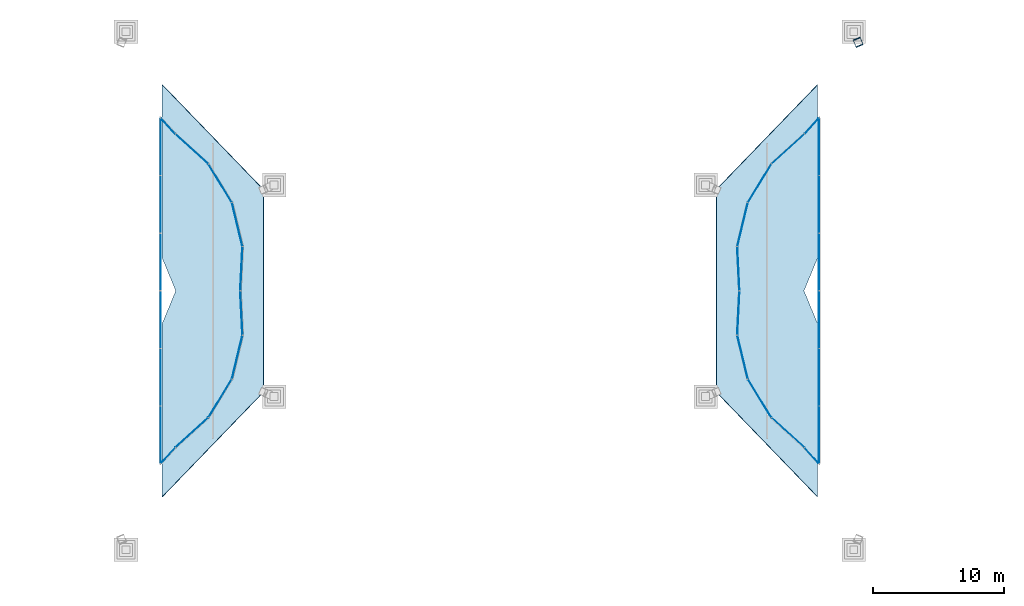
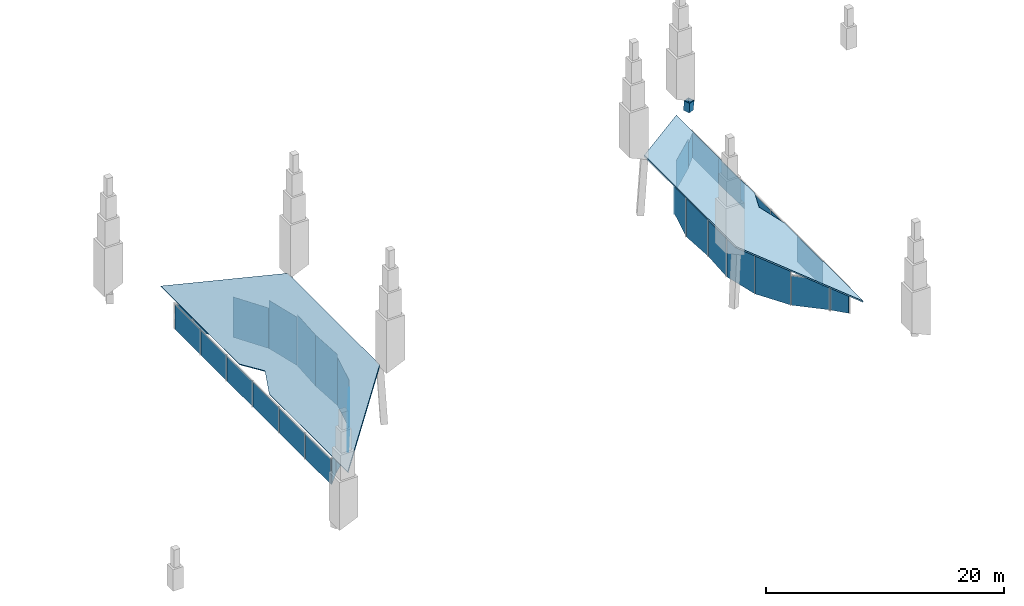
# One storey, part 7 of 8: 34 plates, 1 member, 12 elements without a shape of their own.
"""IFC4 building model written with IfcOpenShell, lengths in metres."""

from ifc_helpers import new_model, si_unit, direction, frame, origin, origin_2d, place, context, subcontext, project, spatial, polyline, rectangle, hollow_rectangle, outline, extrude, material, layer, layer_set, material_profile, profile_set, type_object, element, aggregate, save


model = new_model("IFC4")

# Units and contexts
model_context = context("Model", 3, precision=1e-05, world=origin(), true_north=direction((0.0, 1.0)))
body_context = subcontext(model_context, "Body", "Model", "MODEL_VIEW")
ifc_project = project(units=[si_unit("LENGTHUNIT", "METRE"), si_unit("AREAUNIT", "SQUARE_METRE"), si_unit("VOLUMEUNIT", "CUBIC_METRE"), si_unit("PLANEANGLEUNIT", "RADIAN"), si_unit("MASSUNIT", "GRAM", prefix="KILO")], contexts=[model_context])

# Site, building, storey
site_placement = place(None, origin())
site = spatial("IfcSite", under=ifc_project, at=site_placement, CompositionType="ELEMENT")
building_placement = place(site_placement, origin())
building = spatial("IfcBuilding", under=site, at=building_placement, Name="Ogive Gate Towers", CompositionType="ELEMENT")
storey_placement = place(building_placement, frame((0.0, 0.0, 314.0)))
storey = spatial("IfcBuildingStorey", under=building, at=storey_placement, Name="L74", CompositionType="ELEMENT", Elevation=314.0)

# Member
ifc_material_1 = material(Name="Steel SM460", Category="steel")
ifc_material_profile = material_profile(ifc_material_1, hollow_rectangle(XDim=0.60009765625, YDim=0.60009765625, WallThickness=0.0400390625, at=origin_2d()), Name="BX 600x600x40")
ifc_profile_set = profile_set([ifc_material_profile], Name="Steel SM460")
member_type = type_object("IfcMemberType", Name="Crown rib BX 600x600x40", PredefinedType="MEMBER", material=ifc_profile_set)
member_placement = place(storey_placement, frame((28.123779296875, 19.01513671875, 0.0), z_axis=(0.023335360016, -0.056534119627, 0.998127924813), x_axis=(0.924351915048, 0.381541003232, 0.0)))
element("IfcMember", 1, at=member_placement, inside=storey, type_object=member_type, Name="T2/L74/STR001", PredefinedType="MEMBER", context=body_context, shape_type="SweptSolid", body=[
    extrude(hollow_rectangle(XDim=0.60009765625, YDim=0.60009765625, WallThickness=0.0400390625, at=origin_2d()), origin(), (0.0, 0.0, 1.0), 1.014892578125),
])

# Curtain wall, plates
ifc_material_2 = material(Name="Pale metal aluminium", Category="aluminium")
curtain_wall_type = type_object("IfcCurtainWallType", Name="Crown lean wall", PredefinedType="NOTDEFINED", material=ifc_material_2)
curtain_wall_1_placement = place(storey_placement, origin())
curtain_wall_1 = element("IfcCurtainWall", 2, at=curtain_wall_1_placement, inside=storey, type_object=curtain_wall_type, Name="CW5 T1 ECW01", PredefinedType="NOTDEFINED")
ifc_material_3 = material(Name="Clear glass", Category="glass")
ifc_layer_1 = layer(ifc_material_3, 0.028076171875)
ifc_layer_set_1 = layer_set([ifc_layer_1], Name="Crown lean wall glass panel")
plate_type_1 = type_object("IfcPlateType", Name="Crown lean wall glass panel", PredefinedType="CURTAIN_PANEL", material=ifc_layer_set_1)
plate_1_placement = place(storey_placement, frame((-22.772216796875, 10.833251953125, -0.300048828125), z_axis=(0.0, 0.0, 1.0), x_axis=(0.741144489724, -0.671345548397, 0.0)))
plate_1 = element("IfcPlate", 3, at=plate_1_placement, type_object=plate_type_1, Name="CW5 glass panel", PredefinedType="CURTAIN_PANEL", context=body_context, shape_type="SweptSolid", body=[
    extrude(rectangle(XDim=3.346435546875, YDim=0.028076171875, at=origin_2d()), origin(), (0.0, 0.0, 1.0), 3.03955078125),
])
plate_2_placement = place(storey_placement, frame((-20.61181640625, 8.219970703125, -0.300048828125), z_axis=(0.0, 0.0, 1.0), x_axis=(0.521873406506, -0.853022946691, 0.0)))
plate_2 = element("IfcPlate", 4, at=plate_2_placement, type_object=plate_type_1, Name="CW5 glass panel", PredefinedType="CURTAIN_PANEL", context=body_context, shape_type="SweptSolid", body=[
    extrude(rectangle(XDim=3.400634765625, YDim=0.028076171875, at=origin_2d()), origin(), (0.0, 0.0, 1.0), 4.1650390625),
])
plate_3_placement = place(storey_placement, frame((-19.306640625, 5.068603515625, -0.300048828125), z_axis=(0.0, 0.0, 1.0), x_axis=(0.234158085451, -0.972198534775, 0.0)))
plate_3 = element("IfcPlate", 5, at=plate_3_placement, type_object=plate_type_1, Name="CW5 glass panel", PredefinedType="CURTAIN_PANEL", context=body_context, shape_type="SweptSolid", body=[
    extrude(rectangle(XDim=3.400634765625, YDim=0.028076171875, at=origin_2d()), origin(), (0.0, 0.0, 1.0), 4.97119140625),
])
plate_4_placement = place(storey_placement, frame((-18.986083984375, 1.693115234375, -0.2998046875), z_axis=(0.0, 0.0, 1.0), x_axis=(-0.049337872702, -0.998782145574, 0.0)))
plate_4 = element("IfcPlate", 6, at=plate_4_placement, type_object=plate_type_1, Name="CW5 glass panel", PredefinedType="CURTAIN_PANEL", context=body_context, shape_type="SweptSolid", body=[
    extrude(rectangle(XDim=3.346435546875, YDim=0.028076171875, at=origin_2d()), origin(), (0.0, 0.0, 1.0), 5.258056640625),
])
aggregate(curtain_wall_1, [plate_1, plate_2, plate_3, plate_4])

curtain_wall_2_placement = place(storey_placement, origin())
curtain_wall_2 = element("IfcCurtainWall", 7, at=curtain_wall_2_placement, inside=storey, type_object=curtain_wall_type, Name="CW5 T1 ECW01b", PredefinedType="NOTDEFINED")
plate_5_placement = place(storey_placement, frame((-25.147216796875, 2.200927734375, -0.300048828125), z_axis=(0.0, 0.0, 1.0), x_axis=(0.0, 1.0, 0.0)))
plate_5 = element("IfcPlate", 8, at=plate_5_placement, type_object=plate_type_1, Name="CW5 glass panel", PredefinedType="CURTAIN_PANEL", context=body_context, shape_type="SweptSolid", body=[
    extrude(rectangle(XDim=4.35791015625, YDim=0.028076171875, at=origin_2d()), origin(), (0.0, 0.0, 1.0), 2.583984375),
])
plate_6_placement = place(storey_placement, frame((-25.147216796875, 6.60302734375, -0.300048828125), z_axis=(0.0, 0.0, 1.0), x_axis=(0.0, 1.0, 0.0)))
plate_6 = element("IfcPlate", 9, at=plate_6_placement, type_object=plate_type_1, Name="CW5 glass panel", PredefinedType="CURTAIN_PANEL", context=body_context, shape_type="SweptSolid", body=[
    extrude(rectangle(XDim=4.358154296875, YDim=0.028076171875, at=origin_2d()), origin(), (0.0, 0.0, 1.0), 2.583984375),
])
aggregate(curtain_wall_2, [plate_5, plate_6])

curtain_wall_3_placement = place(storey_placement, origin())
curtain_wall_3 = element("IfcCurtainWall", 10, at=curtain_wall_3_placement, inside=storey, type_object=curtain_wall_type, Name="CW5 T1 ECW02", PredefinedType="NOTDEFINED")
plate_7_placement = place(storey_placement, frame((-25.147216796875, 10.98583984375, -0.300048828125), z_axis=(0.0, 0.0, 1.0), x_axis=(0.0, 1.0, 0.0)))
plate_7 = element("IfcPlate", 11, at=plate_7_placement, type_object=plate_type_1, Name="CW5 glass panel", PredefinedType="CURTAIN_PANEL", context=body_context, shape_type="SweptSolid", body=[
    extrude(rectangle(XDim=4.319580078125, YDim=0.028076171875, at=origin_2d()), origin(), (0.0, 0.0, 1.0), 2.583984375),
])
plate_8_placement = place(storey_placement, frame((-24.574951171875, 12.57470703125, -0.30029296875), z_axis=(0.0, 0.0, 1.0), x_axis=(0.671371418811, -0.741121054892, 0.0)))
plate_8 = element("IfcPlate", 12, at=plate_8_placement, type_object=plate_type_1, Name="CW5 glass panel", PredefinedType="CURTAIN_PANEL", context=body_context, shape_type="SweptSolid", body=[
    extrude(rectangle(XDim=1.583740234375, YDim=0.028076171875, at=origin_2d()), origin(), (0.0, 0.0, 1.0), 2.539306640625),
])
aggregate(curtain_wall_3, [plate_7, plate_8])

curtain_wall_4_placement = place(storey_placement, origin())
curtain_wall_4 = element("IfcCurtainWall", 13, at=curtain_wall_4_placement, inside=storey, type_object=curtain_wall_type, Name="CW5 T1 ECW03", PredefinedType="NOTDEFINED")
plate_9_placement = place(storey_placement, frame((-24.574951171875, -12.57470703125, -0.30029296875), z_axis=(0.0, 0.0, 1.0), x_axis=(-0.671371418811, -0.741121054892, 0.0)))
plate_9 = element("IfcPlate", 14, at=plate_9_placement, type_object=plate_type_1, Name="CW5 glass panel", PredefinedType="CURTAIN_PANEL", context=body_context, shape_type="SweptSolid", body=[
    extrude(rectangle(XDim=1.583740234375, YDim=0.028076171875, at=origin_2d()), origin(), (0.0, 0.0, 1.0), 2.539306640625),
])
plate_10_placement = place(storey_placement, frame((-25.147216796875, -10.98583984375, -0.300048828125), z_axis=(0.0, 0.0, 1.0), x_axis=(0.0, 1.0, 0.0)))
plate_10 = element("IfcPlate", 15, at=plate_10_placement, type_object=plate_type_1, Name="CW5 glass panel", PredefinedType="CURTAIN_PANEL", context=body_context, shape_type="SweptSolid", body=[
    extrude(rectangle(XDim=4.319580078125, YDim=0.028076171875, at=origin_2d()), origin(), (0.0, 0.0, 1.0), 2.583984375),
])
aggregate(curtain_wall_4, [plate_9, plate_10])

curtain_wall_5_placement = place(storey_placement, origin())
curtain_wall_5 = element("IfcCurtainWall", 16, at=curtain_wall_5_placement, inside=storey, type_object=curtain_wall_type, Name="CW5 T1 ECW04", PredefinedType="NOTDEFINED")
plate_11_placement = place(storey_placement, frame((-18.986083984375, -1.693115234375, -0.2998046875), z_axis=(0.0, 0.0, 1.0), x_axis=(0.049337872702, -0.998782145574, 0.0)))
plate_11 = element("IfcPlate", 17, at=plate_11_placement, type_object=plate_type_1, Name="CW5 glass panel", PredefinedType="CURTAIN_PANEL", context=body_context, shape_type="SweptSolid", body=[
    extrude(rectangle(XDim=3.346435546875, YDim=0.028076171875, at=origin_2d()), origin(), (0.0, 0.0, 1.0), 5.258056640625),
])
plate_12_placement = place(storey_placement, frame((-19.306640625, -5.068603515625, -0.300048828125), z_axis=(0.0, 0.0, 1.0), x_axis=(-0.234158085451, -0.972198534775, 0.0)))
plate_12 = element("IfcPlate", 18, at=plate_12_placement, type_object=plate_type_1, Name="CW5 glass panel", PredefinedType="CURTAIN_PANEL", context=body_context, shape_type="SweptSolid", body=[
    extrude(rectangle(XDim=3.400634765625, YDim=0.028076171875, at=origin_2d()), origin(), (0.0, 0.0, 1.0), 4.97119140625),
])
plate_13_placement = place(storey_placement, frame((-20.61181640625, -8.219970703125, -0.300048828125), z_axis=(0.0, 0.0, 1.0), x_axis=(-0.521873406506, -0.853022946691, 0.0)))
plate_13 = element("IfcPlate", 19, at=plate_13_placement, type_object=plate_type_1, Name="CW5 glass panel", PredefinedType="CURTAIN_PANEL", context=body_context, shape_type="SweptSolid", body=[
    extrude(rectangle(XDim=3.400634765625, YDim=0.028076171875, at=origin_2d()), origin(), (0.0, 0.0, 1.0), 4.1650390625),
])
plate_14_placement = place(storey_placement, frame((-22.772216796875, -10.833251953125, -0.300048828125), z_axis=(0.0, 0.0, 1.0), x_axis=(-0.741144489724, -0.671345548397, 0.0)))
plate_14 = element("IfcPlate", 20, at=plate_14_placement, type_object=plate_type_1, Name="CW5 glass panel", PredefinedType="CURTAIN_PANEL", context=body_context, shape_type="SweptSolid", body=[
    extrude(rectangle(XDim=3.346435546875, YDim=0.028076171875, at=origin_2d()), origin(), (0.0, 0.0, 1.0), 3.03955078125),
])
aggregate(curtain_wall_5, [plate_11, plate_12, plate_13, plate_14])

curtain_wall_6_placement = place(storey_placement, origin())
curtain_wall_6 = element("IfcCurtainWall", 21, at=curtain_wall_6_placement, inside=storey, type_object=curtain_wall_type, Name="CW5 T1 ECW04b", PredefinedType="NOTDEFINED")
plate_15_placement = place(storey_placement, frame((-25.147216796875, -6.60302734375, -0.300048828125), z_axis=(0.0, 0.0, 1.0), x_axis=(0.0, 1.0, 0.0)))
plate_15 = element("IfcPlate", 22, at=plate_15_placement, type_object=plate_type_1, Name="CW5 glass panel", PredefinedType="CURTAIN_PANEL", context=body_context, shape_type="SweptSolid", body=[
    extrude(rectangle(XDim=4.358154296875, YDim=0.028076171875, at=origin_2d()), origin(), (0.0, 0.0, 1.0), 2.583984375),
])
plate_16_placement = place(storey_placement, frame((-25.147216796875, -2.200927734375, -0.300048828125), z_axis=(0.0, 0.0, 1.0), x_axis=(0.0, 1.0, 0.0)))
plate_16 = element("IfcPlate", 23, at=plate_16_placement, type_object=plate_type_1, Name="CW5 glass panel", PredefinedType="CURTAIN_PANEL", context=body_context, shape_type="SweptSolid", body=[
    extrude(rectangle(XDim=4.35791015625, YDim=0.028076171875, at=origin_2d()), origin(), (0.0, 0.0, 1.0), 2.583984375),
])
aggregate(curtain_wall_6, [plate_15, plate_16])

curtain_wall_7_placement = place(storey_placement, origin())
curtain_wall_7 = element("IfcCurtainWall", 24, at=curtain_wall_7_placement, inside=storey, type_object=curtain_wall_type, Name="CW5 T2 ECW01", PredefinedType="NOTDEFINED")
plate_17_placement = place(storey_placement, frame((24.574951171875, 12.57470703125, -0.30029296875), z_axis=(0.0, 0.0, 1.0), x_axis=(0.671371418811, 0.741121054892, 0.0)))
plate_17 = element("IfcPlate", 25, at=plate_17_placement, type_object=plate_type_1, Name="CW5 glass panel", PredefinedType="CURTAIN_PANEL", context=body_context, shape_type="SweptSolid", body=[
    extrude(rectangle(XDim=1.583740234375, YDim=0.028076171875, at=origin_2d()), origin(), (0.0, 0.0, 1.0), 2.539306640625),
])
plate_18_placement = place(storey_placement, frame((25.147216796875, 10.98583984375, -0.300048828125), z_axis=(0.0, 0.0, 1.0), x_axis=(0.0, -1.0, 0.0)))
plate_18 = element("IfcPlate", 26, at=plate_18_placement, type_object=plate_type_1, Name="CW5 glass panel", PredefinedType="CURTAIN_PANEL", context=body_context, shape_type="SweptSolid", body=[
    extrude(rectangle(XDim=4.319580078125, YDim=0.028076171875, at=origin_2d()), origin(), (0.0, 0.0, 1.0), 2.583984375),
])
aggregate(curtain_wall_7, [plate_17, plate_18])

curtain_wall_8_placement = place(storey_placement, origin())
curtain_wall_8 = element("IfcCurtainWall", 27, at=curtain_wall_8_placement, inside=storey, type_object=curtain_wall_type, Name="CW5 T2 ECW02", PredefinedType="NOTDEFINED")
plate_19_placement = place(storey_placement, frame((18.986083984375, 1.693115234375, -0.2998046875), z_axis=(0.0, 0.0, 1.0), x_axis=(-0.049337872702, 0.998782145574, 0.0)))
plate_19 = element("IfcPlate", 28, at=plate_19_placement, type_object=plate_type_1, Name="CW5 glass panel", PredefinedType="CURTAIN_PANEL", context=body_context, shape_type="SweptSolid", body=[
    extrude(rectangle(XDim=3.346435546875, YDim=0.028076171875, at=origin_2d()), origin(), (0.0, 0.0, 1.0), 5.258056640625),
])
plate_20_placement = place(storey_placement, frame((19.306640625, 5.068603515625, -0.300048828125), z_axis=(0.0, 0.0, 1.0), x_axis=(0.234158085451, 0.972198534775, 0.0)))
plate_20 = element("IfcPlate", 29, at=plate_20_placement, type_object=plate_type_1, Name="CW5 glass panel", PredefinedType="CURTAIN_PANEL", context=body_context, shape_type="SweptSolid", body=[
    extrude(rectangle(XDim=3.400634765625, YDim=0.028076171875, at=origin_2d()), origin(), (0.0, 0.0, 1.0), 4.97119140625),
])
plate_21_placement = place(storey_placement, frame((20.61181640625, 8.219970703125, -0.300048828125), z_axis=(0.0, 0.0, 1.0), x_axis=(0.521873406506, 0.853022946691, 0.0)))
plate_21 = element("IfcPlate", 30, at=plate_21_placement, type_object=plate_type_1, Name="CW5 glass panel", PredefinedType="CURTAIN_PANEL", context=body_context, shape_type="SweptSolid", body=[
    extrude(rectangle(XDim=3.400634765625, YDim=0.028076171875, at=origin_2d()), origin(), (0.0, 0.0, 1.0), 4.1650390625),
])
plate_22_placement = place(storey_placement, frame((22.772216796875, 10.833251953125, -0.300048828125), z_axis=(0.0, 0.0, 1.0), x_axis=(0.741144489724, 0.671345548397, 0.0)))
plate_22 = element("IfcPlate", 31, at=plate_22_placement, type_object=plate_type_1, Name="CW5 glass panel", PredefinedType="CURTAIN_PANEL", context=body_context, shape_type="SweptSolid", body=[
    extrude(rectangle(XDim=3.346435546875, YDim=0.028076171875, at=origin_2d()), origin(), (0.0, 0.0, 1.0), 3.03955078125),
])
aggregate(curtain_wall_8, [plate_19, plate_20, plate_21, plate_22])

curtain_wall_9_placement = place(storey_placement, origin())
curtain_wall_9 = element("IfcCurtainWall", 32, at=curtain_wall_9_placement, inside=storey, type_object=curtain_wall_type, Name="CW5 T2 ECW02b", PredefinedType="NOTDEFINED")
plate_23_placement = place(storey_placement, frame((25.147216796875, 6.60302734375, -0.300048828125), z_axis=(0.0, 0.0, 1.0), x_axis=(0.0, -1.0, 0.0)))
plate_23 = element("IfcPlate", 33, at=plate_23_placement, type_object=plate_type_1, Name="CW5 glass panel", PredefinedType="CURTAIN_PANEL", context=body_context, shape_type="SweptSolid", body=[
    extrude(rectangle(XDim=4.358154296875, YDim=0.028076171875, at=origin_2d()), origin(), (0.0, 0.0, 1.0), 2.583984375),
])
plate_24_placement = place(storey_placement, frame((25.147216796875, 2.200927734375, -0.300048828125), z_axis=(0.0, 0.0, 1.0), x_axis=(0.0, -1.0, 0.0)))
plate_24 = element("IfcPlate", 34, at=plate_24_placement, type_object=plate_type_1, Name="CW5 glass panel", PredefinedType="CURTAIN_PANEL", context=body_context, shape_type="SweptSolid", body=[
    extrude(rectangle(XDim=4.35791015625, YDim=0.028076171875, at=origin_2d()), origin(), (0.0, 0.0, 1.0), 2.583984375),
])
aggregate(curtain_wall_9, [plate_23, plate_24])

curtain_wall_10_placement = place(storey_placement, origin())
curtain_wall_10 = element("IfcCurtainWall", 35, at=curtain_wall_10_placement, inside=storey, type_object=curtain_wall_type, Name="CW5 T2 ECW03", PredefinedType="NOTDEFINED")
plate_25_placement = place(storey_placement, frame((22.772216796875, -10.833251953125, -0.300048828125), z_axis=(0.0, 0.0, 1.0), x_axis=(-0.741144489724, 0.671345548397, 0.0)))
plate_25 = element("IfcPlate", 36, at=plate_25_placement, type_object=plate_type_1, Name="CW5 glass panel", PredefinedType="CURTAIN_PANEL", context=body_context, shape_type="SweptSolid", body=[
    extrude(rectangle(XDim=3.346435546875, YDim=0.028076171875, at=origin_2d()), origin(), (0.0, 0.0, 1.0), 3.03955078125),
])
plate_26_placement = place(storey_placement, frame((20.61181640625, -8.219970703125, -0.300048828125), z_axis=(0.0, 0.0, 1.0), x_axis=(-0.521873406506, 0.853022946691, 0.0)))
plate_26 = element("IfcPlate", 37, at=plate_26_placement, type_object=plate_type_1, Name="CW5 glass panel", PredefinedType="CURTAIN_PANEL", context=body_context, shape_type="SweptSolid", body=[
    extrude(rectangle(XDim=3.400634765625, YDim=0.028076171875, at=origin_2d()), origin(), (0.0, 0.0, 1.0), 4.1650390625),
])
plate_27_placement = place(storey_placement, frame((19.306640625, -5.068603515625, -0.300048828125), z_axis=(0.0, 0.0, 1.0), x_axis=(-0.234158085451, 0.972198534775, 0.0)))
plate_27 = element("IfcPlate", 38, at=plate_27_placement, type_object=plate_type_1, Name="CW5 glass panel", PredefinedType="CURTAIN_PANEL", context=body_context, shape_type="SweptSolid", body=[
    extrude(rectangle(XDim=3.400634765625, YDim=0.028076171875, at=origin_2d()), origin(), (0.0, 0.0, 1.0), 4.97119140625),
])
plate_28_placement = place(storey_placement, frame((18.986083984375, -1.693115234375, -0.2998046875), z_axis=(0.0, 0.0, 1.0), x_axis=(0.049337872702, 0.998782145574, 0.0)))
plate_28 = element("IfcPlate", 39, at=plate_28_placement, type_object=plate_type_1, Name="CW5 glass panel", PredefinedType="CURTAIN_PANEL", context=body_context, shape_type="SweptSolid", body=[
    extrude(rectangle(XDim=3.346435546875, YDim=0.028076171875, at=origin_2d()), origin(), (0.0, 0.0, 1.0), 5.258056640625),
])
aggregate(curtain_wall_10, [plate_25, plate_26, plate_27, plate_28])

curtain_wall_11_placement = place(storey_placement, origin())
curtain_wall_11 = element("IfcCurtainWall", 40, at=curtain_wall_11_placement, inside=storey, type_object=curtain_wall_type, Name="CW5 T2 ECW03b", PredefinedType="NOTDEFINED")
plate_29_placement = place(storey_placement, frame((25.147216796875, -2.200927734375, -0.300048828125), z_axis=(0.0, 0.0, 1.0), x_axis=(0.0, -1.0, 0.0)))
plate_29 = element("IfcPlate", 41, at=plate_29_placement, type_object=plate_type_1, Name="CW5 glass panel", PredefinedType="CURTAIN_PANEL", context=body_context, shape_type="SweptSolid", body=[
    extrude(rectangle(XDim=4.35791015625, YDim=0.028076171875, at=origin_2d()), origin(), (0.0, 0.0, 1.0), 2.583984375),
])
plate_30_placement = place(storey_placement, frame((25.147216796875, -6.60302734375, -0.300048828125), z_axis=(0.0, 0.0, 1.0), x_axis=(0.0, -1.0, 0.0)))
plate_30 = element("IfcPlate", 42, at=plate_30_placement, type_object=plate_type_1, Name="CW5 glass panel", PredefinedType="CURTAIN_PANEL", context=body_context, shape_type="SweptSolid", body=[
    extrude(rectangle(XDim=4.358154296875, YDim=0.028076171875, at=origin_2d()), origin(), (0.0, 0.0, 1.0), 2.583984375),
])
aggregate(curtain_wall_11, [plate_29, plate_30])

curtain_wall_12_placement = place(storey_placement, origin())
curtain_wall_12 = element("IfcCurtainWall", 43, at=curtain_wall_12_placement, inside=storey, type_object=curtain_wall_type, Name="CW5 T2 ECW04", PredefinedType="NOTDEFINED")
plate_31_placement = place(storey_placement, frame((25.147216796875, -10.98583984375, -0.300048828125), z_axis=(0.0, 0.0, 1.0), x_axis=(0.0, -1.0, 0.0)))
plate_31 = element("IfcPlate", 44, at=plate_31_placement, type_object=plate_type_1, Name="CW5 glass panel", PredefinedType="CURTAIN_PANEL", context=body_context, shape_type="SweptSolid", body=[
    extrude(rectangle(XDim=4.319580078125, YDim=0.028076171875, at=origin_2d()), origin(), (0.0, 0.0, 1.0), 2.583984375),
])
plate_32_placement = place(storey_placement, frame((24.574951171875, -12.57470703125, -0.30029296875), z_axis=(0.0, 0.0, 1.0), x_axis=(-0.671371418811, 0.741121054892, 0.0)))
plate_32 = element("IfcPlate", 45, at=plate_32_placement, type_object=plate_type_1, Name="CW5 glass panel", PredefinedType="CURTAIN_PANEL", context=body_context, shape_type="SweptSolid", body=[
    extrude(rectangle(XDim=1.583740234375, YDim=0.028076171875, at=origin_2d()), origin(), (0.0, 0.0, 1.0), 2.539306640625),
])
aggregate(curtain_wall_12, [plate_31, plate_32])

# Plates
ifc_layer_2 = layer(ifc_material_3, 0.1201171875)
ifc_layer_set_2 = layer_set([ifc_layer_2], Name="Glazed crown roof")
plate_type_2 = type_object("IfcPlateType", Name="Glazed crown roof", PredefinedType="SHEET", material=ifc_layer_set_2)
for number, where, z_axis, x_axis, name in (
    (46, (-17.31591796875, -7.7392578125, 5.989501953125), (-0.408345554507, 0.0, 0.912827425155), (-0.663311449569, -0.6870015855, -0.296726713309), "Glazed crown roof"),
    (47, (17.31591796875, 7.7392578125, 5.989501953125), (0.408345554507, 0.0, 0.912827425155), (0.663311449569, 0.6870015855, -0.296726713309), "Glazed crown roof"),
):
    element("IfcPlate", number, at=place(storey_placement, frame(where, z_axis=z_axis, x_axis=x_axis)), inside=storey, type_object=plate_type_2, Name=name, PredefinedType="SHEET", context=body_context, shape_type="SweptSolid", body=[
        extrude(outline(polyline([(0.0, 0.0), (11.65546686901019, -3.3306690738754696e-16), (2.5741646606851507, -9.60548290111282), (0.003955728481287557, -10.654252204532137), (-0.8990845660065401, -13.279211105830688), (-9.980386774331576, -22.88469400694351), (-10.63376477555791, -11.247554963256368), (0.0, 0.0)])), origin(), (0.0, 0.0, -1.0), 0.1201171875),
    ])

save(model, "model.ifc")
